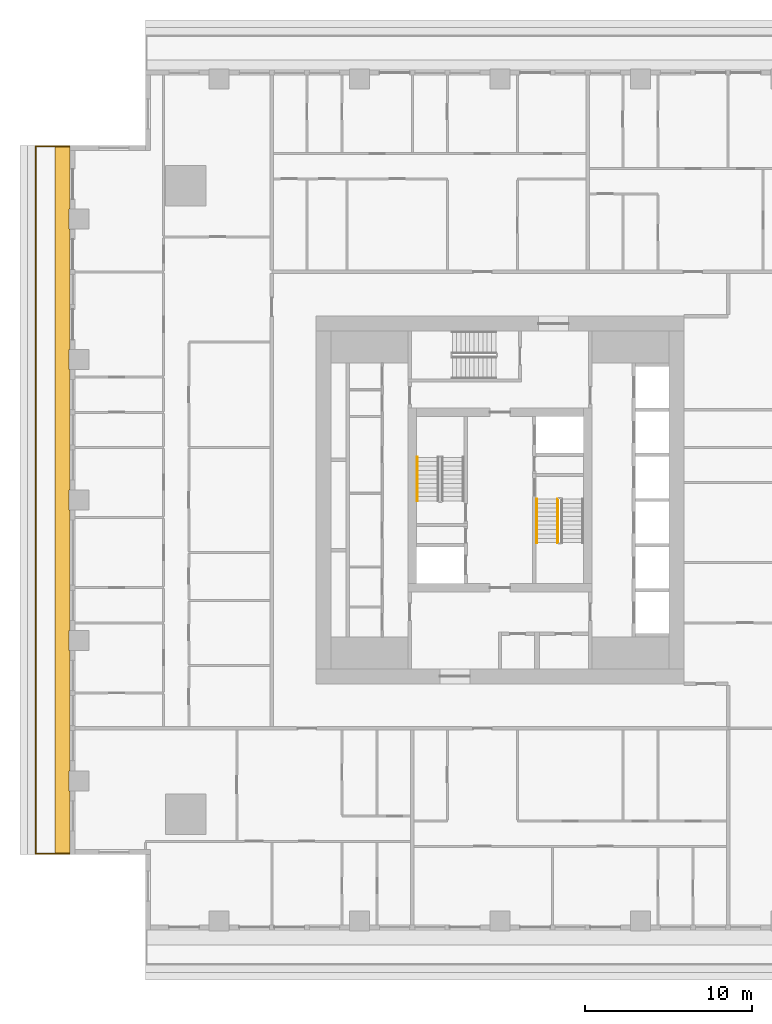
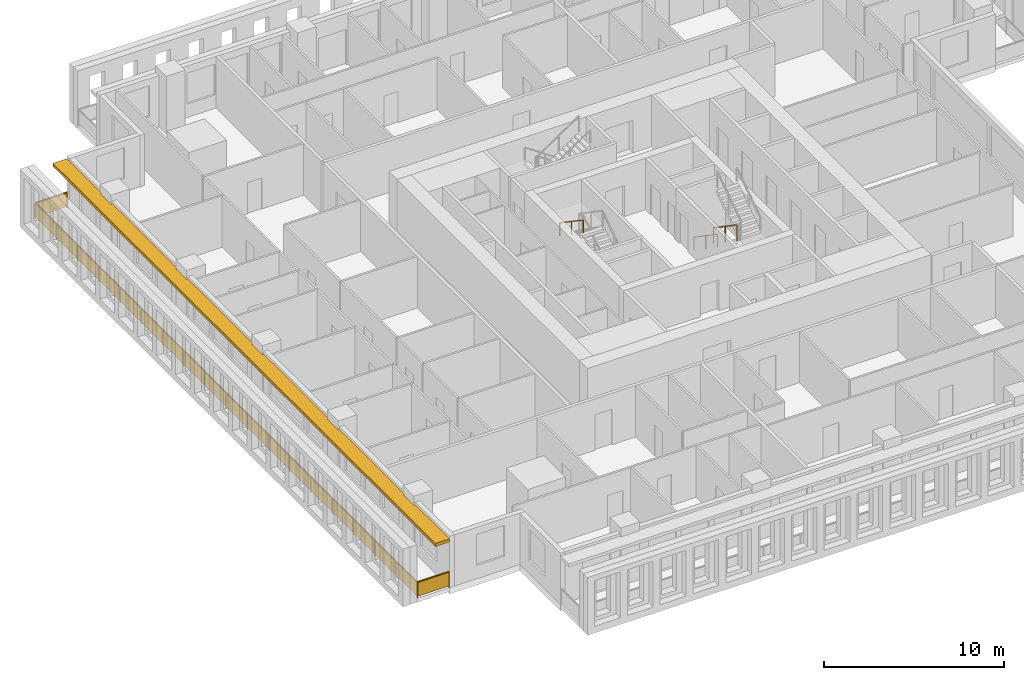
# One storey, part 12 of 16: 4 railings, 1 shading device.
"""IFC4 building model written with IfcOpenShell, lengths in metres."""

from ifc_helpers import new_model, si_unit, direction, frame, origin, origin_2d, place, context, subcontext, project, spatial, polyline, rectangle, outline, extrude, material, layer, layer_set, type_object, element, save


model = new_model("IFC4")

# Units and contexts
model_context = context("Model", 3, precision=1e-05, world=origin(), true_north=direction((0.0, 1.0)))
body_context = subcontext(model_context, "Body", "Model", "MODEL_VIEW")
ifc_project = project(units=[si_unit("LENGTHUNIT", "METRE"), si_unit("AREAUNIT", "SQUARE_METRE"), si_unit("VOLUMEUNIT", "CUBIC_METRE"), si_unit("PLANEANGLEUNIT", "RADIAN"), si_unit("MASSUNIT", "GRAM", prefix="KILO")], contexts=[model_context])

# Site, building, storey
site_placement = place(None, origin())
site = spatial("IfcSite", under=ifc_project, at=site_placement, CompositionType="ELEMENT")
building_placement = place(site_placement, origin())
building = spatial("IfcBuilding", under=site, at=building_placement, Name="Khepri Terraces", CompositionType="ELEMENT")
storey_placement = place(building_placement, frame((0.0, 0.0, 207.89990234375)))
storey = spatial("IfcBuildingStorey", under=building, at=storey_placement, Name="L49", CompositionType="ELEMENT", Elevation=207.89990234375)

# Railings
ifc_material_1 = material(Name="Stainless steel grade 316", Category="steel")
railing_type_1 = type_object("IfcRailingType", Name="GRD-BAL-1100", PredefinedType="GUARDRAIL", material=ifc_material_1)
railing_1_placement = place(storey_placement, frame((-25.719970703125, 21.169921875, 0.0)))
element("IfcRailing", 1, at=railing_1_placement, inside=storey, type_object=railing_type_1, Name="Balcony guard L49 W", PredefinedType="GUARDRAIL", context=body_context, shape_type="SweptSolid", body=[
    extrude(rectangle(XDim=0.050048828125, YDim=0.06005859375, at=origin_2d()), frame((0.0, 0.0, 1.070068359375), z_axis=(-1.0, 0.0, 0.0), x_axis=(0.0, -1.0, 0.0)), (0.0, 0.0, 1.0), 2.050048828125),
    extrude(rectangle(XDim=2.0, YDim=0.011962890625, at=origin_2d()), frame((-1.02490234375, 0.0, 0.10009765625), z_axis=(0.0, 0.0, 1.0), x_axis=(-1.0, 0.0, 0.0)), (0.0, 0.0, 1.0), 0.93994140625),
    extrude(rectangle(XDim=0.050048828125, YDim=0.06005859375, at=origin_2d()), frame((-2.050048828125, 0.0, 1.070068359375), z_axis=(0.0, -1.0, 0.0), x_axis=(1.0, 0.0, 0.0)), (0.0, 0.0, 1.0), 42.33984375),
    extrude(rectangle(XDim=2.30224609375, YDim=0.011962890625, at=origin_2d()), frame((-2.050048828125, -1.176025390625, 0.10009765625), z_axis=(0.0, 0.0, 1.0), x_axis=(0.0, -1.0, 0.0)), (0.0, 0.0, 1.0), 0.93994140625),
    extrude(rectangle(XDim=2.30224609375, YDim=0.011962890625, at=origin_2d()), frame((-2.050048828125, -3.5283203125, 0.10009765625), z_axis=(0.0, 0.0, 1.0), x_axis=(0.0, -1.0, 0.0)), (0.0, 0.0, 1.0), 0.93994140625),
    extrude(rectangle(XDim=2.30224609375, YDim=0.011962890625, at=origin_2d()), frame((-2.050048828125, -5.880615234375, 0.10009765625), z_axis=(0.0, 0.0, 1.0), x_axis=(0.0, -1.0, 0.0)), (0.0, 0.0, 1.0), 0.93994140625),
    extrude(rectangle(XDim=2.30224609375, YDim=0.011962890625, at=origin_2d()), frame((-2.050048828125, -8.232666015625, 0.10009765625), z_axis=(0.0, 0.0, 1.0), x_axis=(0.0, -1.0, 0.0)), (0.0, 0.0, 1.0), 0.93994140625),
    extrude(rectangle(XDim=2.30224609375, YDim=0.011962890625, at=origin_2d()), frame((-2.050048828125, -10.5849609375, 0.10009765625), z_axis=(0.0, 0.0, 1.0), x_axis=(0.0, -1.0, 0.0)), (0.0, 0.0, 1.0), 0.93994140625),
    extrude(rectangle(XDim=2.30224609375, YDim=0.011962890625, at=origin_2d()), frame((-2.050048828125, -12.937255859375, 0.10009765625), z_axis=(0.0, 0.0, 1.0), x_axis=(0.0, -1.0, 0.0)), (0.0, 0.0, 1.0), 0.93994140625),
    extrude(rectangle(XDim=2.30224609375, YDim=0.011962890625, at=origin_2d()), frame((-2.050048828125, -15.289306640625, 0.10009765625), z_axis=(0.0, 0.0, 1.0), x_axis=(0.0, -1.0, 0.0)), (0.0, 0.0, 1.0), 0.93994140625),
    extrude(rectangle(XDim=2.30224609375, YDim=0.011962890625, at=origin_2d()), frame((-2.050048828125, -17.6416015625, 0.10009765625), z_axis=(0.0, 0.0, 1.0), x_axis=(0.0, -1.0, 0.0)), (0.0, 0.0, 1.0), 0.93994140625),
    extrude(rectangle(XDim=2.30224609375, YDim=0.011962890625, at=origin_2d()), frame((-2.050048828125, -19.993896484375, 0.10009765625), z_axis=(0.0, 0.0, 1.0), x_axis=(0.0, -1.0, 0.0)), (0.0, 0.0, 1.0), 0.93994140625),
    extrude(rectangle(XDim=2.30224609375, YDim=0.011962890625, at=origin_2d()), frame((-2.050048828125, -22.345947265625, 0.10009765625), z_axis=(0.0, 0.0, 1.0), x_axis=(0.0, -1.0, 0.0)), (0.0, 0.0, 1.0), 0.93994140625),
    extrude(rectangle(XDim=2.30224609375, YDim=0.011962890625, at=origin_2d()), frame((-2.050048828125, -24.6982421875, 0.10009765625), z_axis=(0.0, 0.0, 1.0), x_axis=(0.0, -1.0, 0.0)), (0.0, 0.0, 1.0), 0.93994140625),
    extrude(rectangle(XDim=2.30224609375, YDim=0.011962890625, at=origin_2d()), frame((-2.050048828125, -27.050537109375, 0.10009765625), z_axis=(0.0, 0.0, 1.0), x_axis=(0.0, -1.0, 0.0)), (0.0, 0.0, 1.0), 0.93994140625),
    extrude(rectangle(XDim=2.30224609375, YDim=0.011962890625, at=origin_2d()), frame((-2.050048828125, -29.402587890625, 0.10009765625), z_axis=(0.0, 0.0, 1.0), x_axis=(0.0, -1.0, 0.0)), (0.0, 0.0, 1.0), 0.93994140625),
    extrude(rectangle(XDim=2.30224609375, YDim=0.011962890625, at=origin_2d()), frame((-2.050048828125, -31.7548828125, 0.10009765625), z_axis=(0.0, 0.0, 1.0), x_axis=(0.0, -1.0, 0.0)), (0.0, 0.0, 1.0), 0.93994140625),
    extrude(rectangle(XDim=2.30224609375, YDim=0.011962890625, at=origin_2d()), frame((-2.050048828125, -34.107177734375, 0.10009765625), z_axis=(0.0, 0.0, 1.0), x_axis=(0.0, -1.0, 0.0)), (0.0, 0.0, 1.0), 0.93994140625),
    extrude(rectangle(XDim=2.30224609375, YDim=0.011962890625, at=origin_2d()), frame((-2.050048828125, -36.459228515625, 0.10009765625), z_axis=(0.0, 0.0, 1.0), x_axis=(0.0, -1.0, 0.0)), (0.0, 0.0, 1.0), 0.93994140625),
    extrude(rectangle(XDim=2.30224609375, YDim=0.011962890625, at=origin_2d()), frame((-2.050048828125, -38.8115234375, 0.10009765625), z_axis=(0.0, 0.0, 1.0), x_axis=(0.0, -1.0, 0.0)), (0.0, 0.0, 1.0), 0.93994140625),
    extrude(rectangle(XDim=2.30224609375, YDim=0.011962890625, at=origin_2d()), frame((-2.050048828125, -41.163818359375, 0.10009765625), z_axis=(0.0, 0.0, 1.0), x_axis=(0.0, -1.0, 0.0)), (0.0, 0.0, 1.0), 0.93994140625),
    extrude(rectangle(XDim=0.050048828125, YDim=0.06005859375, at=origin_2d()), frame((-2.050048828125, -42.33984375, 1.070068359375), z_axis=(1.0, 0.0, 0.0), x_axis=(0.0, 1.0, 0.0)), (0.0, 0.0, 1.0), 2.050048828125),
    extrude(rectangle(XDim=2.0, YDim=0.011962890625, at=origin_2d()), frame((-1.02490234375, -42.33984375, 0.10009765625), z_axis=(0.0, 0.0, 1.0), x_axis=(1.0, 0.0, 0.0)), (0.0, 0.0, 1.0), 0.93994140625),
    extrude(rectangle(XDim=0.050048828125, YDim=0.050048828125, at=origin_2d()), origin(), (0.0, 0.0, 1.0), 1.0400390625),
    extrude(rectangle(XDim=0.050048828125, YDim=0.050048828125, at=origin_2d()), frame((-2.050048828125, 0.0, 0.0)), (0.0, 0.0, 1.0), 1.0400390625),
    extrude(rectangle(XDim=0.050048828125, YDim=0.050048828125, at=origin_2d()), frame((-2.050048828125, -2.352294921875, 0.0)), (0.0, 0.0, 1.0), 1.0400390625),
    extrude(rectangle(XDim=0.050048828125, YDim=0.050048828125, at=origin_2d()), frame((-2.050048828125, -4.704345703125, 0.0)), (0.0, 0.0, 1.0), 1.0400390625),
    extrude(rectangle(XDim=0.050048828125, YDim=0.050048828125, at=origin_2d()), frame((-2.050048828125, -7.056640625, 0.0)), (0.0, 0.0, 1.0), 1.0400390625),
    extrude(rectangle(XDim=0.050048828125, YDim=0.050048828125, at=origin_2d()), frame((-2.050048828125, -9.408935546875, 0.0)), (0.0, 0.0, 1.0), 1.0400390625),
    extrude(rectangle(XDim=0.050048828125, YDim=0.050048828125, at=origin_2d()), frame((-2.050048828125, -11.760986328125, 0.0)), (0.0, 0.0, 1.0), 1.0400390625),
    extrude(rectangle(XDim=0.050048828125, YDim=0.050048828125, at=origin_2d()), frame((-2.050048828125, -14.11328125, 0.0)), (0.0, 0.0, 1.0), 1.0400390625),
    extrude(rectangle(XDim=0.050048828125, YDim=0.050048828125, at=origin_2d()), frame((-2.050048828125, -16.465576171875, 0.0)), (0.0, 0.0, 1.0), 1.0400390625),
    extrude(rectangle(XDim=0.050048828125, YDim=0.050048828125, at=origin_2d()), frame((-2.050048828125, -18.817626953125, 0.0)), (0.0, 0.0, 1.0), 1.0400390625),
    extrude(rectangle(XDim=0.050048828125, YDim=0.050048828125, at=origin_2d()), frame((-2.050048828125, -21.169921875, 0.0)), (0.0, 0.0, 1.0), 1.0400390625),
    extrude(rectangle(XDim=0.050048828125, YDim=0.050048828125, at=origin_2d()), frame((-2.050048828125, -23.522216796875, 0.0)), (0.0, 0.0, 1.0), 1.0400390625),
    extrude(rectangle(XDim=0.050048828125, YDim=0.050048828125, at=origin_2d()), frame((-2.050048828125, -25.874267578125, 0.0)), (0.0, 0.0, 1.0), 1.0400390625),
    extrude(rectangle(XDim=0.050048828125, YDim=0.050048828125, at=origin_2d()), frame((-2.050048828125, -28.2265625, 0.0)), (0.0, 0.0, 1.0), 1.0400390625),
    extrude(rectangle(XDim=0.050048828125, YDim=0.050048828125, at=origin_2d()), frame((-2.050048828125, -30.578857421875, 0.0)), (0.0, 0.0, 1.0), 1.0400390625),
    extrude(rectangle(XDim=0.050048828125, YDim=0.050048828125, at=origin_2d()), frame((-2.050048828125, -32.930908203125, 0.0)), (0.0, 0.0, 1.0), 1.0400390625),
    extrude(rectangle(XDim=0.050048828125, YDim=0.050048828125, at=origin_2d()), frame((-2.050048828125, -35.283203125, 0.0)), (0.0, 0.0, 1.0), 1.0400390625),
    extrude(rectangle(XDim=0.050048828125, YDim=0.050048828125, at=origin_2d()), frame((-2.050048828125, -37.635498046875, 0.0)), (0.0, 0.0, 1.0), 1.0400390625),
    extrude(rectangle(XDim=0.050048828125, YDim=0.050048828125, at=origin_2d()), frame((-2.050048828125, -39.987548828125, 0.0)), (0.0, 0.0, 1.0), 1.0400390625),
    extrude(rectangle(XDim=0.050048828125, YDim=0.050048828125, at=origin_2d()), frame((-2.050048828125, -42.33984375, 0.0)), (0.0, 0.0, 1.0), 1.0400390625),
    extrude(rectangle(XDim=0.050048828125, YDim=0.050048828125, at=origin_2d()), frame((0.0, -42.33984375, 0.0)), (0.0, 0.0, 1.0), 1.0400390625),
])
ifc_material_2 = material(Name="Stainless steel 316", Category="steel")
railing_type_2 = type_object("IfcRailingType", Name="RL-CORE-GUARD", PredefinedType="GUARDRAIL", material=ifc_material_2)
railing_2_placement = place(storey_placement, frame((3.449951171875, 0.050048828125, 0.177490234375)))
element("IfcRailing", 2, at=railing_2_placement, inside=storey, type_object=railing_type_2, Name="L49 ST-2 stair guard 1", PredefinedType="GUARDRAIL", context=body_context, shape_type="SweptSolid", body=[
    extrude(rectangle(XDim=0.050048828125, YDim=0.06005859375, at=origin_2d()), frame((0.0, 0.0, 1.070068359375), z_axis=(0.0, -0.826240473404, 0.563317565952), x_axis=(1.0, 0.0, 0.0)), (0.0, 0.0, 1.0), 3.14697265625),
    extrude(rectangle(XDim=0.050048828125, YDim=0.050048828125, at=origin_2d()), origin(), (0.0, 0.0, 1.0), 1.0400390625),
    extrude(rectangle(XDim=0.050048828125, YDim=0.050048828125, at=origin_2d()), frame((0.0, -1.300048828125, 0.88623046875)), (0.0, 0.0, 1.0), 1.0400390625),
    extrude(rectangle(XDim=0.050048828125, YDim=0.050048828125, at=origin_2d()), frame((0.0, -2.60009765625, 1.772705078125)), (0.0, 0.0, 1.0), 1.0400390625),
])
railing_type_3 = type_object("IfcRailingType", Name="RL-CORE-HANDRAIL", PredefinedType="HANDRAIL", material=ifc_material_2)
for number, where, name in (
    (3, (-4.949951171875, 2.550048828125, 2.12744140625), "L49 ST-1 stair handrail 2"),
    (4, (2.199951171875, 0.050048828125, 0.177490234375), "L49 ST-2 stair handrail 1"),
):
    element("IfcRailing", number, at=place(storey_placement, frame(where)), inside=storey, type_object=railing_type_3, Name=name, PredefinedType="HANDRAIL", context=body_context, shape_type="SweptSolid", body=[
        extrude(rectangle(XDim=0.050048828125, YDim=0.050048828125, at=origin_2d()), frame((0.0, 0.0, 0.875), z_axis=(0.0, -0.826240473404, 0.563317565952), x_axis=(1.0, 0.0, 0.0)), (0.0, 0.0, 1.0), 3.14697265625),
        extrude(rectangle(XDim=0.050048828125, YDim=0.050048828125, at=origin_2d()), origin(), (0.0, 0.0, 1.0), 0.849853515625),
        extrude(rectangle(XDim=0.050048828125, YDim=0.050048828125, at=origin_2d()), frame((0.0, -1.300048828125, 0.88623046875)), (0.0, 0.0, 1.0), 0.849853515625),
        extrude(rectangle(XDim=0.050048828125, YDim=0.050048828125, at=origin_2d()), frame((0.0, -2.60009765625, 1.772705078125)), (0.0, 0.0, 1.0), 0.849853515625),
    ])

# Shading device
ifc_material_3 = material(Name="Precast concrete C50/60 warm stone", Category="masonry")
ifc_layer = layer(ifc_material_3, 0.199951171875, Name="Precast concrete C50/60 warm stone", Category="masonry")
ifc_layer_set = layer_set([ifc_layer], Name="Precast concrete C50/60 warm stone")
shading_device_type = type_object("IfcShadingDeviceType", Name="SSH-BAND-STONE-200", PredefinedType="USERDEFINED", material=ifc_layer_set)
shading_device_placement = place(storey_placement, frame((0.0, 0.0, 3.10009765625)))
element("IfcShadingDevice", 5, at=shading_device_placement, inside=storey, type_object=shading_device_type, Name="Sunshade band L49 W", ObjectType="SUNSHADE", PredefinedType="USERDEFINED", context=body_context, shape_type="SweptSolid", body=[
    extrude(outline(polyline([(-25.719970703125, 17.39990234375), (-25.719970703125, 21.219970703125), (-26.6201171875, 21.219970703125), (-26.6201171875, -21.219970703125), (-25.719970703125, -21.219970703125), (-25.719970703125, -17.39990234375), (-25.800048828125, -17.39990234375), (-25.800048828125, -16.199951171875), (-25.719970703125, -16.199951171875), (-25.719970703125, -9.0), (-25.800048828125, -9.0), (-25.800048828125, -7.800048828125), (-25.719970703125, -7.800048828125), (-25.719970703125, -0.60009765625), (-25.800048828125, -0.60009765625), (-25.800048828125, 0.60009765625), (-25.719970703125, 0.60009765625), (-25.719970703125, 7.800048828125), (-25.800048828125, 7.800048828125), (-25.800048828125, 9.0), (-25.719970703125, 9.0), (-25.719970703125, 16.199951171875), (-25.800048828125, 16.199951171875), (-25.800048828125, 17.39990234375), (-25.719970703125, 17.39990234375)])), origin(), (0.0, 0.0, 1.0), 0.199951171875),
])

save(model, "model.ifc")
